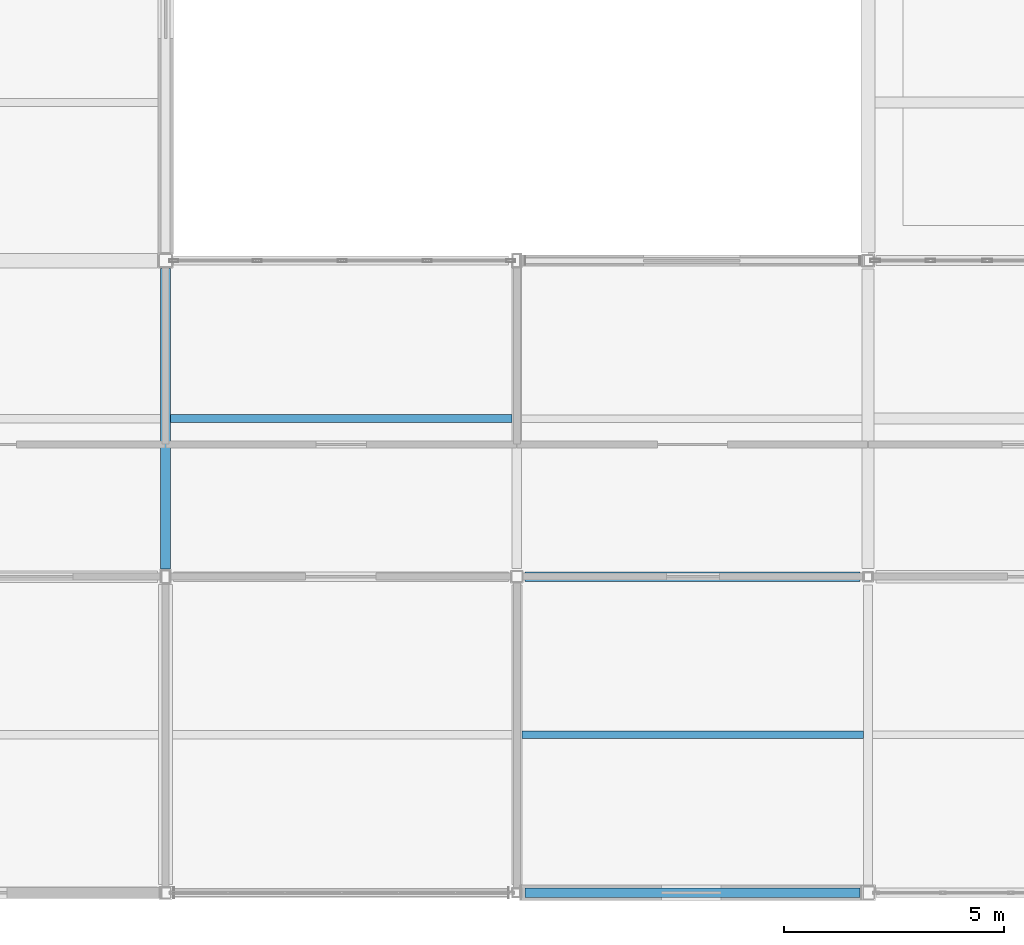
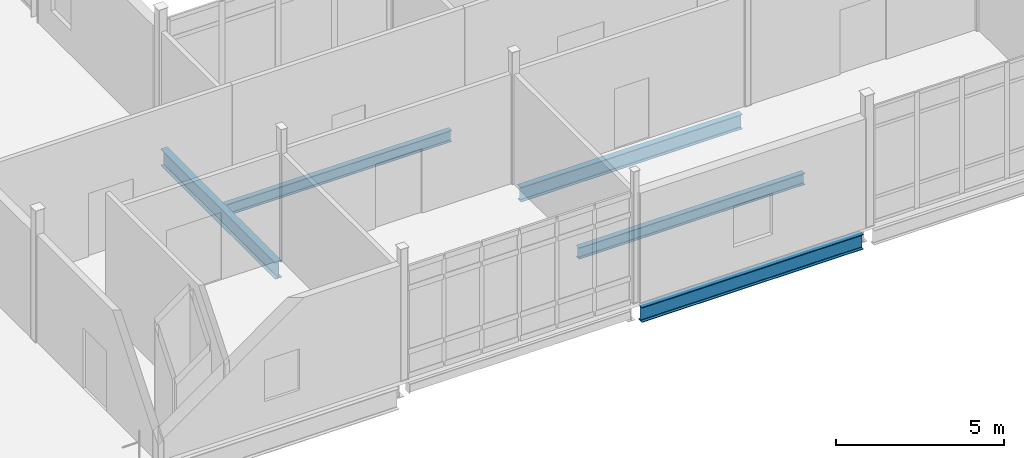
# One storey, part 47 of 186: 5 beams.
"""IFC4 building model written with IfcOpenShell, lengths in metres."""

from ifc_helpers import new_model, si_unit, direction, frame, origin, origin_2d, place, context, subcontext, project, spatial, i_section, extrude, material, material_profile, profile_set, type_object, element, save


model = new_model("IFC4")

# Units and contexts
model_context = context("Model", 3, precision=1e-05, world=origin(), true_north=direction((0.0, 1.0)))
body_context = subcontext(model_context, "Body", "Model", "MODEL_VIEW")
ifc_project = project(units=[si_unit("LENGTHUNIT", "METRE"), si_unit("AREAUNIT", "SQUARE_METRE"), si_unit("VOLUMEUNIT", "CUBIC_METRE"), si_unit("PLANEANGLEUNIT", "RADIAN"), si_unit("MASSUNIT", "GRAM", prefix="KILO")], contexts=[model_context])

# Site, building, storey
site_placement = place(None, origin())
site = spatial("IfcSite", under=ifc_project, at=site_placement, CompositionType="ELEMENT")
building_placement = place(site_placement, origin())
building = spatial("IfcBuilding", under=site, at=building_placement, Name="Calvrana Isthmian Art Gallery", CompositionType="ELEMENT")
storey_placement = place(building_placement, frame((0.0, 0.0, 5.39990234375)))
storey = spatial("IfcBuildingStorey", under=building, at=storey_placement, Name="L01", CompositionType="ELEMENT", Elevation=5.39990234375)

# Beams
ifc_material = material(Name="Steel ASTM A992 Gr 50", Category="steel")
ifc_material_profile_1 = material_profile(ifc_material, i_section(OverallWidth=0.208984375, OverallDepth=0.532958984375, WebThickness=0.01025390625, FlangeThickness=0.015625, FilletRadius=0.02099609375, at=origin_2d()), Name="W21X62")
ifc_profile_set_1 = profile_set([ifc_material_profile_1], Name="Steel ASTM A992 Gr 50")
beam_type_1 = type_object("IfcBeamType", Name="BM-G-W21X62", PredefinedType="BEAM", material=ifc_profile_set_1)
beam_1_placement = place(storey_placement, frame((88.58642578125, 7.199951171875, -0.511474609375), z_axis=(1.0, 0.0, 0.0), x_axis=(0.0, 1.0, 0.0)))
element("IfcBeam", 1, at=beam_1_placement, inside=storey, type_object=beam_type_1, Name="Girder X L01 12-13/B", PredefinedType="BEAM", context=body_context, shape_type="SweptSolid", body=[
    extrude(i_section(OverallWidth=0.208984375, OverallDepth=0.532958984375, WebThickness=0.01025390625, FlangeThickness=0.015625, FilletRadius=0.02099609375, at=origin_2d()), origin(), (0.0, 0.0, 1.0), 7.626953125),
])
ifc_material_profile_2 = material_profile(ifc_material, i_section(OverallWidth=0.214111328125, OverallDepth=0.549072265625, WebThickness=0.0146484375, FlangeThickness=0.023681640625, FilletRadius=0.02099609375, at=origin_2d()), Name="W21X93")
ifc_profile_set_2 = profile_set([ifc_material_profile_2], Name="Steel ASTM A992 Gr 50")
beam_type_2 = type_object("IfcBeamType", Name="BM-G-W21X93", PredefinedType="BEAM", material=ifc_profile_set_2)
beam_2_placement = place(storey_placement, frame((88.58642578125, 0.0, -0.519287109375), z_axis=(1.0, 0.0, 0.0), x_axis=(0.0, 1.0, 0.0)))
element("IfcBeam", 2, at=beam_2_placement, inside=storey, type_object=beam_type_2, Name="Girder X L01 12-13/A", PredefinedType="BEAM", context=body_context, shape_type="SweptSolid", body=[
    extrude(i_section(OverallWidth=0.214111328125, OverallDepth=0.549072265625, WebThickness=0.0146484375, FlangeThickness=0.023681640625, FilletRadius=0.02099609375, at=origin_2d()), origin(), (0.0, 0.0, 1.0), 7.628173828125),
])
ifc_material_profile_3 = material_profile(ifc_material, i_section(OverallWidth=0.22802734375, OverallDepth=0.60693359375, WebThickness=0.01123046875, FlangeThickness=0.017333984375, FilletRadius=0.02197265625, at=origin_2d()), Name="W24X76")
ifc_profile_set_3 = profile_set([ifc_material_profile_3], Name="Steel ASTM A992 Gr 50")
beam_type_3 = type_object("IfcBeamType", Name="BM-G-W24X76", PredefinedType="BEAM", material=ifc_profile_set_3)
beam_3_placement = place(storey_placement, frame((80.39990234375, 7.3779296875, -0.54833984375), z_axis=(0.0, 1.0, 0.0), x_axis=(-1.0, 0.0, 0.0)))
element("IfcBeam", 3, at=beam_3_placement, inside=storey, type_object=beam_type_3, Name="Girder Y L01 11/B-C", PredefinedType="BEAM", context=body_context, shape_type="SweptSolid", body=[
    extrude(i_section(OverallWidth=0.22802734375, OverallDepth=0.60693359375, WebThickness=0.01123046875, FlangeThickness=0.017333984375, FilletRadius=0.02197265625, at=origin_2d()), origin(), (0.0, 0.0, 1.0), 6.840576171875),
])
ifc_material_profile_4 = material_profile(ifc_material, i_section(OverallWidth=0.179931640625, OverallDepth=0.4140625, WebThickness=0.009765625, FlangeThickness=0.01611328125, FilletRadius=0.01806640625, at=origin_2d()), Name="W16X50")
ifc_profile_set_4 = profile_set([ifc_material_profile_4], Name="Steel ASTM A992 Gr 50")
beam_type_4 = type_object("IfcBeamType", Name="BM-J-W16X50", PredefinedType="JOIST", material=ifc_profile_set_4)
for number, where, z_axis, x_axis, name in (
    (4, (80.513916015625, 10.800048828125, -0.451904296875), (1.0, 0.0, 0.0), (0.0, 1.0, 0.0), "Composite joist L01 bay 10-01"),
    (5, (88.513916015625, 3.60009765625, -0.451904296875), (1.0, 0.0, 0.0), (0.0, 1.0, 0.0), "Composite joist L01 bay 11-00"),
):
    element("IfcBeam", number, at=place(storey_placement, frame(where, z_axis=z_axis, x_axis=x_axis)), inside=storey, type_object=beam_type_4, Name=name, PredefinedType="JOIST", context=body_context, shape_type="SweptSolid", body=[
        extrude(i_section(OverallWidth=0.179931640625, OverallDepth=0.4140625, WebThickness=0.009765625, FlangeThickness=0.01611328125, FilletRadius=0.01806640625, at=origin_2d()), origin(), (0.0, 0.0, 1.0), 7.781494140625),
    ])

save(model, "model.ifc")
